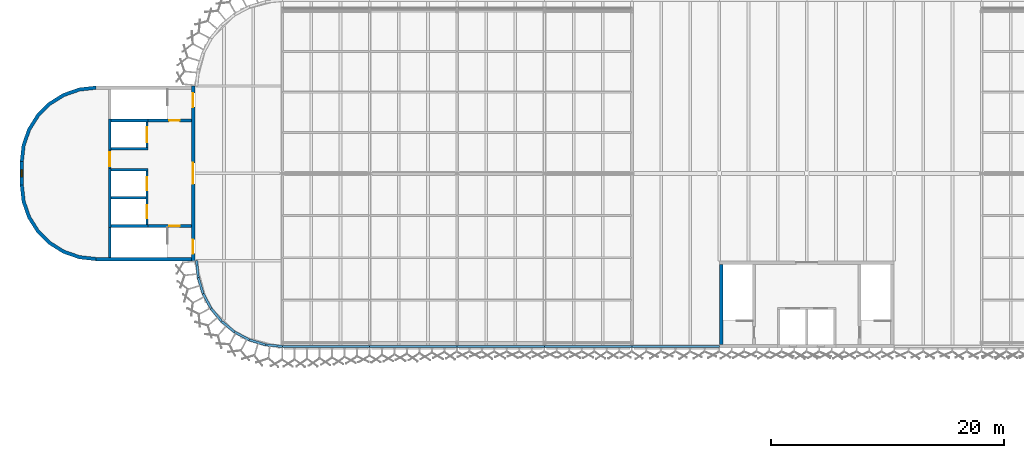
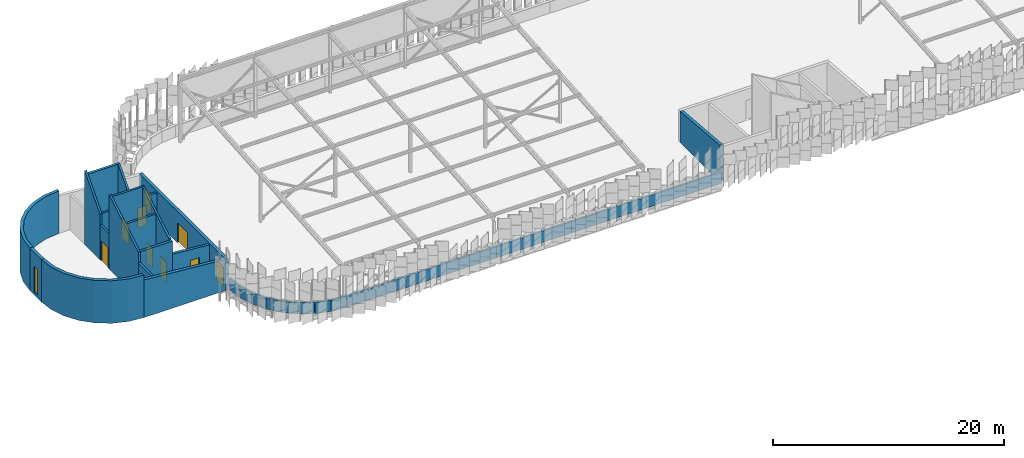
# One storey, part 117 of 483: 32 walls, 9 doors, 1 window, 10 openings.
"""IFC4 building model written with IfcOpenShell, lengths in metres."""

from ifc_helpers import new_model, si_unit, direction, frame, frame_2d, origin, place, context, subcontext, project, spatial, polyline, rectangle, outline, extrude, material, layer, layer_set, type_object, element, fill, save


model = new_model("IFC4")

# Units and contexts
model_context = context("Model", 3, precision=1e-05, world=origin(), true_north=direction((0.0, 1.0)))
body_context = subcontext(model_context, "Body", "Model", "MODEL_VIEW")
ifc_project = project(units=[si_unit("LENGTHUNIT", "METRE"), si_unit("AREAUNIT", "SQUARE_METRE"), si_unit("VOLUMEUNIT", "CUBIC_METRE"), si_unit("PLANEANGLEUNIT", "RADIAN"), si_unit("MASSUNIT", "GRAM", prefix="KILO")], contexts=[model_context])

# Site, building, storey
site_placement = place(None, origin())
site = spatial("IfcSite", under=ifc_project, at=site_placement, CompositionType="ELEMENT")
building_placement = place(site_placement, origin())
building = spatial("IfcBuilding", under=site, at=building_placement, Name="Parallax Yard Mobility Hub", CompositionType="ELEMENT")
storey_placement = place(building_placement, frame((0.0, 0.0, 13.199951171875)))
storey = spatial("IfcBuildingStorey", under=building, at=storey_placement, Name="L04", CompositionType="ELEMENT", Elevation=13.199951171875)

# Wall, openings, doors
ifc_material_1 = material(Name="Concrete fc' 35 MPa", Category="concrete")
ifc_layer_1 = layer(ifc_material_1, 0.300048828125)
ifc_layer_set_1 = layer_set([ifc_layer_1], Name="Concrete fc' 35 MPa core wall 300")
wall_type_1 = type_object("IfcWallType", Name="Concrete fc' 35 MPa core wall 300", PredefinedType="SHEAR", material=ifc_layer_set_1)
wall_1_placement = place(storey_placement, frame((22.35009765625, 135.0, 0.0), z_axis=(0.0, 0.0, 1.0), x_axis=(0.0, -1.0, 0.0)))
wall_1 = element("IfcWall", 1, at=wall_1_placement, inside=storey, type_object=wall_type_1, Name="Core C-W entry wall level L04", PredefinedType="SHEAR", context=body_context, shape_type="SweptSolid", body=[
    extrude(rectangle(XDim=15.0, YDim=0.300048828125, at=frame_2d((7.5, 0.0))), origin(), (0.0, 0.0, 1.0), 3.300048828125),
])
opening_1_placement = place(wall_1_placement, frame((13.179931640625, 0.0, 0.0)))
opening_1 = element("IfcOpeningElement", 2, at=opening_1_placement, cuts=wall_1, Name="Opening L04-D700", PredefinedType="OPENING", context=body_context, shape_type="SweptSolid", body=[
    extrude(rectangle(XDim=1.199951171875, YDim=2.10009765625, at=frame_2d((0.60009765625, 1.050048828125))), frame((0.0, 0.16015625, 0.0), z_axis=(0.0, -1.0, 0.0), x_axis=(1.0, 0.0, 0.0)), (0.0, 0.0, 1.0), 0.320068359375),
])
opening_2_placement = place(wall_1_placement, frame((0.6201171875, 0.0, 0.0)))
opening_2 = element("IfcOpeningElement", 3, at=opening_2_placement, cuts=wall_1, Name="Opening L04-D701", PredefinedType="OPENING", context=body_context, shape_type="SweptSolid", body=[
    extrude(rectangle(XDim=1.199951171875, YDim=2.10009765625, at=frame_2d((0.60009765625, 1.050048828125))), frame((0.0, 0.16015625, 0.0), z_axis=(0.0, -1.0, 0.0), x_axis=(1.0, 0.0, 0.0)), (0.0, 0.0, 1.0), 0.320068359375),
])
opening_3_placement = place(wall_1_placement, frame((6.60009765625, 0.0, 0.0)))
opening_3 = element("IfcOpeningElement", 4, at=opening_3_placement, cuts=wall_1, Name="Opening L04-D702", PredefinedType="OPENING", context=body_context, shape_type="SweptSolid", body=[
    extrude(rectangle(XDim=1.800048828125, YDim=2.10009765625, at=frame_2d((0.89990234375, 1.050048828125))), frame((0.0, 0.16015625, 0.0), z_axis=(0.0, -1.0, 0.0), x_axis=(1.0, 0.0, 0.0)), (0.0, 0.0, 1.0), 0.320068359375),
])
ifc_material_2 = material(Name="Hollow metal steel door and frame", Category="steel")
door_type_1 = type_object("IfcDoorType", Name="Core door 1200 x 2100 FD90", OperationType="NOTDEFINED", PredefinedType="DOOR", material=ifc_material_2)
door_1_placement = place(opening_1_placement, origin())
door_1 = element("IfcDoor", 5, at=door_1_placement, inside=storey, type_object=door_type_1, Name="Stair deck door L04-D700, core C-W level L04", OperationType="SINGLE_SWING_RIGHT", OverallHeight=2.10009765625, OverallWidth=1.199951171875, PredefinedType="DOOR", context=body_context, shape_type="SweptSolid", body=[
    extrude(rectangle(XDim=1.199951171875, YDim=2.10009765625, at=frame_2d((0.60009765625, 1.050048828125))), frame((0.0, 0.02490234375, 0.0), z_axis=(0.0, -1.0, 0.0), x_axis=(1.0, 0.0, 0.0)), (0.0, 0.0, 1.0), 0.050048828125),
])
fill(opening_1, door_1)
door_2_placement = place(opening_2_placement, origin())
door_2 = element("IfcDoor", 6, at=door_2_placement, inside=storey, type_object=door_type_1, Name="Stair deck door L04-D701, core C-W level L04", OperationType="SINGLE_SWING_LEFT", OverallHeight=2.10009765625, OverallWidth=1.199951171875, PredefinedType="DOOR", context=body_context, shape_type="SweptSolid", body=[
    extrude(rectangle(XDim=1.199951171875, YDim=2.10009765625, at=frame_2d((0.60009765625, 1.050048828125))), frame((0.0, 0.02490234375, 0.0), z_axis=(0.0, -1.0, 0.0), x_axis=(1.0, 0.0, 0.0)), (0.0, 0.0, 1.0), 0.050048828125),
])
fill(opening_2, door_2)
door_type_2 = type_object("IfcDoorType", Name="Core double door 1800 x 2100 FD90", OperationType="NOTDEFINED", PredefinedType="DOOR", material=ifc_material_2)
door_3_placement = place(opening_3_placement, origin())
door_3 = element("IfcDoor", 7, at=door_3_placement, inside=storey, type_object=door_type_2, Name="Lift lobby door L04-D702, core C-W level L04", OperationType="DOUBLE_DOOR_SINGLE_SWING", OverallHeight=2.10009765625, OverallWidth=1.800048828125, PredefinedType="DOOR", context=body_context, shape_type="SweptSolid", body=[
    extrude(rectangle(XDim=1.800048828125, YDim=2.10009765625, at=frame_2d((0.89990234375, 1.050048828125))), frame((0.0, 0.02490234375, 0.0), z_axis=(0.0, -1.0, 0.0), x_axis=(1.0, 0.0, 0.0)), (0.0, 0.0, 1.0), 0.050048828125),
])
fill(opening_3, door_3)

# Wall, opening, window
wall_2_placement = place(storey_placement, frame((7.64990234375, 126.5, 0.0), z_axis=(0.0, 0.0, 1.0), x_axis=(0.0, 1.0, 0.0)))
wall_2 = element("IfcWall", 8, at=wall_2_placement, inside=storey, type_object=wall_type_1, Name="Core C-W back wall level L04", PredefinedType="SHEAR", context=body_context, shape_type="SweptSolid", body=[
    extrude(rectangle(XDim=2.0, YDim=0.300048828125, at=frame_2d((1.0, 0.0))), origin(), (0.0, 0.0, 1.0), 4.5),
])
opening_4_placement = place(wall_2_placement, frame((0.699951171875, 0.0, 0.300048828125)))
opening_4 = element("IfcOpeningElement", 9, at=opening_4_placement, cuts=wall_2, Name="Opening CW-S1", PredefinedType="OPENING", context=body_context, shape_type="SweptSolid", body=[
    extrude(rectangle(XDim=0.60009765625, YDim=2.699951171875, at=frame_2d((0.300048828125, 1.35009765625))), frame((0.0, 0.16015625, 0.0), z_axis=(0.0, -1.0, 0.0), x_axis=(1.0, 0.0, 0.0)), (0.0, 0.0, 1.0), 0.320068359375),
])
ifc_material_3 = material(Name="Fire-resisting glazing in a steel frame", Category="steel")
window_type = type_object("IfcWindowType", Name="Core slot window 600 x 2700", PartitioningType="SINGLE_PANEL", PredefinedType="WINDOW", material=ifc_material_3)
window_placement = place(opening_4_placement, origin())
window = element("IfcWindow", 10, at=window_placement, inside=storey, type_object=window_type, Name="Glazed slot 1, core C-W level L04", OverallHeight=2.699951171875, OverallWidth=0.60009765625, PartitioningType="SINGLE_PANEL", PredefinedType="WINDOW", context=body_context, shape_type="SweptSolid", body=[
    extrude(rectangle(XDim=0.60009765625, YDim=2.699951171875, at=frame_2d((0.300048828125, 1.35009765625))), frame((0.0, 0.030029296875, 0.0), z_axis=(0.0, -1.0, 0.0), x_axis=(1.0, 0.0, 0.0)), (0.0, 0.0, 1.0), 0.06005859375),
])
fill(opening_4, window)

# Walls
wall_3_placement = place(storey_placement, frame((22.199951171875, 120.14990234375, 0.0), z_axis=(0.0, 0.0, 1.0), x_axis=(-1.0, 0.0, 0.0)))
element("IfcWall", 11, at=wall_3_placement, inside=storey, type_object=wall_type_1, Name="Core C-W west-side end wall level L04", PredefinedType="SHEAR", context=body_context, shape_type="SweptSolid", body=[
    extrude(outline(polyline([(0.0, 0.0), (8.199951171875, 0.0), (8.199951171875, 3.9833984375), (0.0, 3.300048828125), (0.0, 0.0)])), frame((0.0, 0.14990234375, 0.0), z_axis=(0.0, -1.0, 0.0), x_axis=(1.0, 0.0, 0.0)), (0.0, 0.0, 1.0), 0.300048828125),
])
wall_4_placement = place(storey_placement, origin())
element("IfcWall", 12, at=wall_4_placement, inside=storey, type_object=wall_type_1, Name="Core C-W rounded corner west level L04", PredefinedType="SHEAR", context=body_context, shape_type="SweptSolid", body=[
    extrude(outline(polyline([(14.0, 120.0), (12.5537109375, 120.1630859375), (11.1796875, 120.643798828125), (9.947265625, 121.418212890625), (8.918212890625, 122.447265625), (8.143798828125, 123.6796875), (7.6630859375, 125.0537109375), (7.5, 126.5), (7.800048828125, 126.5), (7.955322265625, 125.120361328125), (8.4140625, 123.809814453125), (9.152587890625, 122.634521484375), (10.134521484375, 121.652587890625), (11.309814453125, 120.9140625), (12.620361328125, 120.455322265625), (14.0, 120.300048828125), (14.0, 120.0)])), origin(), (0.0, 0.0, 1.0), 4.5),
])
wall_5_placement = place(storey_placement, origin())
element("IfcWall", 13, at=wall_5_placement, inside=storey, type_object=wall_type_1, Name="Core C-W rounded corner east level L04", PredefinedType="SHEAR", context=body_context, shape_type="SweptSolid", body=[
    extrude(outline(polyline([(14.0, 135.0), (12.5537109375, 134.8369140625), (11.1796875, 134.356201171875), (9.947265625, 133.581787109375), (8.918212890625, 132.552734375), (8.143798828125, 131.3203125), (7.6630859375, 129.9462890625), (7.5, 128.5), (7.800048828125, 128.5), (7.955322265625, 129.879638671875), (8.4140625, 131.190185546875), (9.152587890625, 132.365478515625), (10.134521484375, 133.347412109375), (11.309814453125, 134.0859375), (12.620361328125, 134.544677734375), (14.0, 134.699951171875), (14.0, 135.0)])), origin(), (0.0, 0.0, 1.0), 4.5),
])
wall_6_placement = place(storey_placement, frame((67.64990234375, 119.699951171875, 0.0), z_axis=(0.0, 0.0, 1.0), x_axis=(0.0, -1.0, 0.0)))
element("IfcWall", 14, at=wall_6_placement, inside=storey, type_object=wall_type_1, Name="Core C-N1 east-side end wall level L04", PredefinedType="SHEAR", context=body_context, shape_type="SweptSolid", body=[
    extrude(outline(polyline([(0.0, 0.0), (6.89990234375, 0.0), (6.89990234375, 3.875), (0.0, 3.300048828125), (0.0, 0.0)])), frame((0.0, 0.14990234375, 0.0), z_axis=(0.0, -1.0, 0.0), x_axis=(1.0, 0.0, 0.0)), (0.0, 0.0, 1.0), 0.300048828125),
])

# Wall, openings, doors
ifc_layer_2 = layer(ifc_material_1, 0.199951171875)
ifc_layer_set_2 = layer_set([ifc_layer_2], Name="Concrete fc' 35 MPa internal core wall 200")
wall_type_2 = type_object("IfcWallType", Name="Concrete fc' 35 MPa internal core wall 200", PredefinedType="STANDARD", material=ifc_layer_set_2)
wall_7_placement = place(storey_placement, frame((18.39990234375, 123.10009765625, 0.0), z_axis=(0.0, 0.0, 1.0), x_axis=(0.0, 1.0, 0.0)))
wall_7 = element("IfcWall", 15, at=wall_7_placement, inside=storey, type_object=wall_type_2, Name="Core C-W lift front 1 part 1 level L04", PredefinedType="STANDARD", context=body_context, shape_type="SweptSolid", body=[
    extrude(outline(polyline([(0.0, 0.0), (4.599853515625, 0.0), (4.60009765625, 7.68115234375), (0.0, 4.948486328125), (0.0, 0.0)])), frame((0.0, 0.10009765625, 0.0), z_axis=(0.0, -1.0, 0.0), x_axis=(1.0, 0.0, 0.0)), (0.0, 0.0, 1.0), 0.199951171875),
])
opening_5_placement = place(wall_7_placement, frame((0.550048828125, 0.0, 0.0)))
opening_5 = element("IfcOpeningElement", 16, at=opening_5_placement, cuts=wall_7, Name="Opening L04-D705", PredefinedType="OPENING", context=body_context, shape_type="SweptSolid", body=[
    extrude(rectangle(XDim=1.10009765625, YDim=2.10009765625, at=frame_2d((0.550048828125, 1.050048828125))), frame((0.0, 0.10986328125, 0.0), z_axis=(0.0, -1.0, 0.0), x_axis=(1.0, 0.0, 0.0)), (0.0, 0.0, 1.0), 0.219970703125),
])
opening_6_placement = place(wall_7_placement, frame((2.949951171875, 0.0, 0.0)))
opening_6 = element("IfcOpeningElement", 17, at=opening_6_placement, cuts=wall_7, Name="Opening L04-D706", PredefinedType="OPENING", context=body_context, shape_type="SweptSolid", body=[
    extrude(rectangle(XDim=1.10009765625, YDim=2.10009765625, at=frame_2d((0.550048828125, 1.050048828125))), frame((0.0, 0.10986328125, 0.0), z_axis=(0.0, -1.0, 0.0), x_axis=(1.0, 0.0, 0.0)), (0.0, 0.0, 1.0), 0.219970703125),
])
ifc_material_4 = material(Name="Stainless steel sliding door and frame", Category="steel")
door_type_3 = type_object("IfcDoorType", Name="Lift landing door 1100 x 2100 FD90", OperationType="DOUBLE_DOOR_SLIDING", PredefinedType="DOOR", material=ifc_material_4)
door_4_placement = place(opening_5_placement, origin())
door_4 = element("IfcDoor", 18, at=door_4_placement, inside=storey, type_object=door_type_3, Name="Lift landing door L04-D705, core C-W level L04", OperationType="DOUBLE_DOOR_SLIDING", OverallHeight=2.10009765625, OverallWidth=1.10009765625, PredefinedType="DOOR", context=body_context, shape_type="SweptSolid", body=[
    extrude(rectangle(XDim=1.10009765625, YDim=2.10009765625, at=frame_2d((0.550048828125, 1.050048828125))), frame((0.0, 0.02490234375, 0.0), z_axis=(0.0, -1.0, 0.0), x_axis=(1.0, 0.0, 0.0)), (0.0, 0.0, 1.0), 0.050048828125),
])
fill(opening_5, door_4)
door_5_placement = place(opening_6_placement, origin())
door_5 = element("IfcDoor", 19, at=door_5_placement, inside=storey, type_object=door_type_3, Name="Lift landing door L04-D706, core C-W level L04", OperationType="DOUBLE_DOOR_SLIDING", OverallHeight=2.10009765625, OverallWidth=1.10009765625, PredefinedType="DOOR", context=body_context, shape_type="SweptSolid", body=[
    extrude(rectangle(XDim=1.10009765625, YDim=2.10009765625, at=frame_2d((0.550048828125, 1.050048828125))), frame((0.0, 0.02490234375, 0.0), z_axis=(0.0, -1.0, 0.0), x_axis=(1.0, 0.0, 0.0)), (0.0, 0.0, 1.0), 0.050048828125),
])
fill(opening_6, door_5)

# Wall, opening, door
wall_8_placement = place(storey_placement, frame((18.39990234375, 129.699951171875, 0.0), z_axis=(0.0, 0.0, 1.0), x_axis=(0.0, 1.0, 0.0)))
wall_8 = element("IfcWall", 20, at=wall_8_placement, inside=storey, type_object=wall_type_2, Name="Core C-W lift front 2 part 2 level L04", PredefinedType="STANDARD", context=body_context, shape_type="SweptSolid", body=[
    extrude(outline(polyline([(0.0, 0.0), (2.199951171875, 0.0), (2.199951171875, 7.51708984375), (0.0, 5.0263671875), (0.0, 0.0)])), frame((0.0, 0.10009765625, 0.0), z_axis=(0.0, -1.0, 0.0), x_axis=(1.0, 0.0, 0.0)), (0.0, 0.0, 1.0), 0.199951171875),
])
opening_7_placement = place(wall_8_placement, frame((0.449951171875, 0.0, 0.0)))
opening_7 = element("IfcOpeningElement", 21, at=opening_7_placement, cuts=wall_8, Name="Opening L04-D707", PredefinedType="OPENING", context=body_context, shape_type="SweptSolid", body=[
    extrude(rectangle(XDim=1.300048828125, YDim=2.10009765625, at=frame_2d((0.64990234375, 1.050048828125))), frame((0.0, 0.10986328125, 0.0), z_axis=(0.0, -1.0, 0.0), x_axis=(1.0, 0.0, 0.0)), (0.0, 0.0, 1.0), 0.219970703125),
])
door_type_4 = type_object("IfcDoorType", Name="Goods lift landing door 1300 x 2100 FD90", OperationType="DOUBLE_DOOR_SLIDING", PredefinedType="DOOR", material=ifc_material_4)
door_6_placement = place(opening_7_placement, origin())
door_6 = element("IfcDoor", 22, at=door_6_placement, inside=storey, type_object=door_type_4, Name="Lift landing door L04-D707, core C-W level L04", OperationType="DOUBLE_DOOR_SLIDING", OverallHeight=2.10009765625, OverallWidth=1.300048828125, PredefinedType="DOOR", context=body_context, shape_type="SweptSolid", body=[
    extrude(rectangle(XDim=1.300048828125, YDim=2.10009765625, at=frame_2d((0.64990234375, 1.050048828125))), frame((0.0, 0.02490234375, 0.0), z_axis=(0.0, -1.0, 0.0), x_axis=(1.0, 0.0, 0.0)), (0.0, 0.0, 1.0), 0.050048828125),
])
fill(opening_7, door_6)

# Walls
wall_9_placement = place(storey_placement, frame((18.300048828125, 125.39990234375, 0.0), z_axis=(0.0, 0.0, 1.0), x_axis=(-1.0, 0.0, 0.0)))
element("IfcWall", 23, at=wall_9_placement, inside=storey, type_object=wall_type_2, Name="Core C-W lift wall 1 part 1 level L04", PredefinedType="STANDARD", context=body_context, shape_type="SweptSolid", body=[
    extrude(rectangle(XDim=3.0, YDim=0.199951171875, at=frame_2d((1.5, 0.0))), origin(), (0.0, 0.0, 1.0), 6.25537109375),
])
wall_10_placement = place(storey_placement, frame((18.5, 127.800048828125, 0.0), z_axis=(0.0, 0.0, 1.0), x_axis=(-1.0, 0.0, 0.0)))
element("IfcWall", 24, at=wall_10_placement, inside=storey, type_object=wall_type_2, Name="Core C-W lift wall 2 part 2 level L04", PredefinedType="STANDARD", context=body_context, shape_type="SweptSolid", body=[
    extrude(rectangle(XDim=3.199951171875, YDim=0.199951171875, at=frame_2d((1.60009765625, 0.0))), origin(), (0.0, 0.0, 1.0), 7.68115234375),
])
wall_11_placement = place(storey_placement, frame((18.5, 129.60009765625, 0.0), z_axis=(0.0, 0.0, 1.0), x_axis=(-1.0, 0.0, 0.0)))
element("IfcWall", 25, at=wall_11_placement, inside=storey, type_object=wall_type_2, Name="Core C-W lift wall 3 part 3 level L04", PredefinedType="STANDARD", context=body_context, shape_type="SweptSolid", body=[
    extrude(rectangle(XDim=3.199951171875, YDim=0.199951171875, at=frame_2d((1.60009765625, 0.0))), origin(), (0.0, 0.0, 1.0), 4.800048828125),
])
wall_12_placement = place(storey_placement, frame((15.199951171875, 120.300048828125, 0.0), z_axis=(0.0, 0.0, 1.0), x_axis=(0.0, 1.0, 0.0)))
element("IfcWall", 26, at=wall_12_placement, inside=storey, type_object=wall_type_2, Name="Core C-W plant wall 1 part 1 level L04", PredefinedType="STANDARD", context=body_context, shape_type="SweptSolid", body=[
    extrude(rectangle(XDim=2.550048828125, YDim=0.199951171875, at=frame_2d((1.27490234375, 0.0))), origin(), (0.0, 0.0, 1.0), 3.683349609375),
])
wall_13_placement = place(storey_placement, frame((15.199951171875, 122.85009765625, 0.0), z_axis=(0.0, 0.0, 1.0), x_axis=(0.0, 1.0, 0.0)))
element("IfcWall", 27, at=wall_13_placement, inside=storey, type_object=wall_type_2, Name="Core C-W plant wall 2 part 2 level L04", PredefinedType="STANDARD", context=body_context, shape_type="SweptSolid", body=[
    extrude(outline(polyline([(0.0, 0.0), (5.0498046875, 0.0), (5.050048828125, 7.800048828125), (0.0, 4.800048828125), (0.0, 0.0)])), frame((0.0, 0.10009765625, 0.0), z_axis=(0.0, -1.0, 0.0), x_axis=(1.0, 0.0, 0.0)), (0.0, 0.0, 1.0), 0.199951171875),
])

# Wall, opening, door
wall_14_placement = place(storey_placement, frame((15.199951171875, 127.89990234375, 0.0), z_axis=(0.0, 0.0, 1.0), x_axis=(0.0, 1.0, 0.0)))
wall_14 = element("IfcWall", 28, at=wall_14_placement, inside=storey, type_object=wall_type_2, Name="Core C-W plant wall 3 part 3 level L04", PredefinedType="STANDARD", context=body_context, shape_type="SweptSolid", body=[
    extrude(rectangle(XDim=1.60009765625, YDim=0.199951171875, at=frame_2d((0.800048828125, 0.0))), origin(), (0.0, 0.0, 1.0), 3.683349609375),
])
opening_8_placement = place(wall_14_placement, frame((0.199951171875, 0.0, 0.0)))
opening_8 = element("IfcOpeningElement", 29, at=opening_8_placement, cuts=wall_14, Name="Opening L04-D708", PredefinedType="OPENING", context=body_context, shape_type="SweptSolid", body=[
    extrude(rectangle(XDim=1.199951171875, YDim=2.10009765625, at=frame_2d((0.60009765625, 1.050048828125))), frame((0.0, 0.10986328125, 0.0), z_axis=(0.0, -1.0, 0.0), x_axis=(1.0, 0.0, 0.0)), (0.0, 0.0, 1.0), 0.219970703125),
])
door_7_placement = place(opening_8_placement, origin())
door_7 = element("IfcDoor", 30, at=door_7_placement, inside=storey, type_object=door_type_1, Name="Plant room door L04-D708, core C-W level L04", OperationType="SINGLE_SWING_RIGHT", OverallHeight=2.10009765625, OverallWidth=1.199951171875, PredefinedType="DOOR", context=body_context, shape_type="SweptSolid", body=[
    extrude(rectangle(XDim=1.199951171875, YDim=2.10009765625, at=frame_2d((0.60009765625, 1.050048828125))), frame((0.0, 0.02490234375, 0.0), z_axis=(0.0, -1.0, 0.0), x_axis=(1.0, 0.0, 0.0)), (0.0, 0.0, 1.0), 0.050048828125),
])
fill(opening_8, door_7)

# Wall
wall_15_placement = place(storey_placement, frame((15.199951171875, 129.5, 0.0), z_axis=(0.0, 0.0, 1.0), x_axis=(0.0, 1.0, 0.0)))
element("IfcWall", 31, at=wall_15_placement, inside=storey, type_object=wall_type_2, Name="Core C-W plant wall 4 part 4 level L04", PredefinedType="STANDARD", context=body_context, shape_type="SweptSolid", body=[
    extrude(outline(polyline([(0.0, 0.0), (2.64990234375, 0.0), (2.64990234375, 7.800048828125), (0.0, 4.800048828125), (0.0, 0.0)])), frame((0.0, 0.10009765625, 0.0), z_axis=(0.0, -1.0, 0.0), x_axis=(1.0, 0.0, 0.0)), (0.0, 0.0, 1.0), 0.199951171875),
])

# Wall, opening, door
ifc_layer_3 = layer(ifc_material_1, 0.25)
ifc_layer_set_3 = layer_set([ifc_layer_3], Name="Concrete fc' 35 MPa stair enclosure wall 250")
wall_type_3 = type_object("IfcWallType", Name="Concrete fc' 35 MPa stair enclosure wall 250", PredefinedType="STANDARD", material=ifc_layer_set_3)
wall_16_placement = place(storey_placement, frame((22.199951171875, 122.97509765625, 0.0), z_axis=(0.0, 0.0, 1.0), x_axis=(-1.0, 0.0, 0.0)))
wall_16 = element("IfcWall", 32, at=wall_16_placement, inside=storey, type_object=wall_type_3, Name="Core C-W stair 1 partition 1 part 1 level L04", PredefinedType="STANDARD", context=body_context, shape_type="SweptSolid", body=[
    extrude(outline(polyline([(0.0, 0.0), (3.699951171875, 0.0), (3.699951171875, 3.408447265625), (0.0, 3.10009765625), (0.0, 0.0)])), frame((0.0, 0.125, 0.0), z_axis=(0.0, -1.0, 0.0), x_axis=(1.0, 0.0, 0.0)), (0.0, 0.0, 1.0), 0.25),
])
opening_9_placement = place(wall_16_placement, frame((1.0, 0.0, 0.0)))
opening_9 = element("IfcOpeningElement", 33, at=opening_9_placement, cuts=wall_16, Name="Opening L04-D703", PredefinedType="OPENING", context=body_context, shape_type="SweptSolid", body=[
    extrude(rectangle(XDim=0.89990234375, YDim=2.10009765625, at=frame_2d((0.449951171875, 1.050048828125))), frame((0.0, 0.135009765625, 0.0), z_axis=(0.0, -1.0, 0.0), x_axis=(1.0, 0.0, 0.0)), (0.0, 0.0, 1.0), 0.27001953125),
])
door_type_5 = type_object("IfcDoorType", Name="Core door 900 x 2100 FD90", OperationType="NOTDEFINED", PredefinedType="DOOR", material=ifc_material_2)
door_8_placement = place(opening_9_placement, origin())
door_8 = element("IfcDoor", 34, at=door_8_placement, inside=storey, type_object=door_type_5, Name="Stair lobby door L04-D703, core C-W level L04", OperationType="SINGLE_SWING_LEFT", OverallHeight=2.10009765625, OverallWidth=0.89990234375, PredefinedType="DOOR", context=body_context, shape_type="SweptSolid", body=[
    extrude(rectangle(XDim=0.89990234375, YDim=2.10009765625, at=frame_2d((0.449951171875, 1.050048828125))), frame((0.0, 0.02490234375, 0.0), z_axis=(0.0, -1.0, 0.0), x_axis=(1.0, 0.0, 0.0)), (0.0, 0.0, 1.0), 0.050048828125),
])
fill(opening_9, door_8)

# Wall
wall_17_placement = place(storey_placement, frame((18.5, 122.97509765625, 0.0), z_axis=(0.0, 0.0, 1.0), x_axis=(-1.0, 0.0, 0.0)))
element("IfcWall", 35, at=wall_17_placement, inside=storey, type_object=wall_type_3, Name="Core C-W stair 1 partition 2 part 2 level L04", PredefinedType="STANDARD", context=body_context, shape_type="SweptSolid", body=[
    extrude(rectangle(XDim=3.199951171875, YDim=0.25, at=frame_2d((1.60009765625, 0.0))), origin(), (0.0, 0.0, 1.0), 4.800048828125),
])

# Wall, opening, door
wall_18_placement = place(storey_placement, frame((18.5, 132.02490234375, 0.0), z_axis=(0.0, 0.0, 1.0), x_axis=(1.0, 0.0, 0.0)))
wall_18 = element("IfcWall", 36, at=wall_18_placement, inside=storey, type_object=wall_type_3, Name="Core C-W stair 2 partition 1 part 1 level L04", PredefinedType="STANDARD", context=body_context, shape_type="SweptSolid", body=[
    extrude(outline(polyline([(0.0, 0.0), (3.699951171875, 0.0), (3.699951171875, 3.10009765625), (0.0, 3.408447265625), (0.0, 0.0)])), frame((0.0, 0.125, 0.0), z_axis=(0.0, -1.0, 0.0), x_axis=(1.0, 0.0, 0.0)), (0.0, 0.0, 1.0), 0.25),
])
opening_10_placement = place(wall_18_placement, frame((1.800048828125, 0.0, 0.0)))
opening_10 = element("IfcOpeningElement", 37, at=opening_10_placement, cuts=wall_18, Name="Opening L04-D704", PredefinedType="OPENING", context=body_context, shape_type="SweptSolid", body=[
    extrude(rectangle(XDim=0.89990234375, YDim=2.10009765625, at=frame_2d((0.449951171875, 1.050048828125))), frame((0.0, 0.135009765625, 0.0), z_axis=(0.0, -1.0, 0.0), x_axis=(1.0, 0.0, 0.0)), (0.0, 0.0, 1.0), 0.27001953125),
])
door_9_placement = place(opening_10_placement, origin())
door_9 = element("IfcDoor", 38, at=door_9_placement, inside=storey, type_object=door_type_5, Name="Stair lobby door L04-D704, core C-W level L04", OperationType="SINGLE_SWING_RIGHT", OverallHeight=2.10009765625, OverallWidth=0.89990234375, PredefinedType="DOOR", context=body_context, shape_type="SweptSolid", body=[
    extrude(rectangle(XDim=0.89990234375, YDim=2.10009765625, at=frame_2d((0.449951171875, 1.050048828125))), frame((0.0, 0.02490234375, 0.0), z_axis=(0.0, -1.0, 0.0), x_axis=(1.0, 0.0, 0.0)), (0.0, 0.0, 1.0), 0.050048828125),
])
fill(opening_10, door_9)

# Walls
wall_19_placement = place(storey_placement, frame((18.5, 132.02490234375, 0.0), z_axis=(0.0, 0.0, 1.0), x_axis=(-1.0, 0.0, 0.0)))
element("IfcWall", 39, at=wall_19_placement, inside=storey, type_object=wall_type_3, Name="Core C-W stair 2 partition 2 part 2 level L04", PredefinedType="STANDARD", context=body_context, shape_type="SweptSolid", body=[
    extrude(rectangle(XDim=3.199951171875, YDim=0.25, at=frame_2d((1.60009765625, 0.0))), origin(), (0.0, 0.0, 1.0), 7.51708984375),
])
ifc_layer_4 = layer(ifc_material_1, 0.199951171875)
ifc_layer_set_4 = layer_set([ifc_layer_4], Name="Roof parapet wall, Concrete fc' 35 MPa precast, 200")
wall_type_4 = type_object("IfcWallType", Name="Roof parapet wall, Concrete fc' 35 MPa precast, 200", PredefinedType="SOLIDWALL", material=ifc_layer_set_4)
wall_20_placement = place(storey_placement, frame((30.012939453125, 112.64599609375, 0.0), z_axis=(0.0, 0.0, 1.0), x_axis=(1.0, 0.0, 0.0)))
element("IfcWall", 40, at=wall_20_placement, inside=storey, type_object=wall_type_4, Name="Roof parapet wall bay 1 level L04", PredefinedType="SOLIDWALL", context=body_context, shape_type="SweptSolid", body=[
    extrude(rectangle(XDim=7.485107421875, YDim=0.199951171875, at=frame_2d((3.74267578125, 0.0))), origin(), (0.0, 0.0, 1.0), 1.199951171875),
])
for number, where, z_axis, x_axis, name in (
    (41, (37.501953125, 112.64599609375, 0.0), (0.0, 0.0, 1.0), (1.0, 0.0, 0.0), "Roof parapet wall bay 2 level L04"),
    (42, (45.001953125, 112.64599609375, 0.0), (0.0, 0.0, 1.0), (1.0, 0.0, 0.0), "Roof parapet wall bay 3 level L04"),
    (43, (52.501953125, 112.64599609375, 0.0), (0.0, 0.0, 1.0), (1.0, 0.0, 0.0), "Roof parapet wall bay 4 level L04"),
):
    element("IfcWall", number, at=place(storey_placement, frame(where, z_axis=z_axis, x_axis=x_axis)), inside=storey, type_object=wall_type_4, Name=name, PredefinedType="SOLIDWALL", context=body_context, shape_type="SweptSolid", body=[
        extrude(rectangle(XDim=7.49609375, YDim=0.199951171875, at=frame_2d((3.748046875, 0.0))), origin(), (0.0, 0.0, 1.0), 1.199951171875),
    ])
wall_21_placement = place(storey_placement, frame((60.001953125, 112.64599609375, 0.0), z_axis=(0.0, 0.0, 1.0), x_axis=(1.0, 0.0, 0.0)))
element("IfcWall", 44, at=wall_21_placement, inside=storey, type_object=wall_type_4, Name="Roof parapet wall bay 5 level L04", PredefinedType="SOLIDWALL", context=body_context, shape_type="SweptSolid", body=[
    extrude(rectangle(XDim=7.4931640625, YDim=0.199951171875, at=frame_2d((3.74658203125, 0.0))), origin(), (0.0, 0.0, 1.0), 1.199951171875),
])
wall_22_placement = place(storey_placement, frame((22.645751953125, 120.00927734375, 0.0), z_axis=(0.0, 0.0, 1.0), x_axis=(0.098649257102, -0.995122265892, 0.0)))
element("IfcWall", 45, at=wall_22_placement, inside=storey, type_object=wall_type_4, Name="Roof parapet wall bay 72-1 level L04", PredefinedType="SOLIDWALL", context=body_context, shape_type="SweptSolid", body=[
    extrude(rectangle(XDim=1.44287109375, YDim=0.199951171875, at=frame_2d((0.721435546875, 0.0))), origin(), (0.0, 0.0, 1.0), 1.199951171875),
])
for number, where, z_axis, x_axis, name in (
    (46, (22.79296875, 118.54931640625, 0.0), (0.0, 0.0, 1.0), (0.290715595178, -0.956809512244, 0.0), "Roof parapet wall bay 72-2 level L04"),
    (47, (23.214111328125, 117.171630859375, 0.0), (0.0, 0.0, 1.0), (0.471805034746, -0.881702903017, 0.0), "Roof parapet wall bay 72-3 level L04"),
):
    element("IfcWall", number, at=place(storey_placement, frame(where, z_axis=z_axis, x_axis=x_axis)), inside=storey, type_object=wall_type_4, Name=name, PredefinedType="SOLIDWALL", context=body_context, shape_type="SweptSolid", body=[
        extrude(rectangle(XDim=1.415771484375, YDim=0.199951171875, at=frame_2d((0.7080078125, 0.0))), origin(), (0.0, 0.0, 1.0), 1.199951171875),
    ])
wall_23_placement = place(storey_placement, frame((23.89599609375, 115.902587890625, 0.0), z_axis=(0.0, 0.0, 1.0), x_axis=(0.634654831137, -0.77279573324, 0.0)))
element("IfcWall", 48, at=wall_23_placement, inside=storey, type_object=wall_type_4, Name="Roof parapet wall bay 72-4 level L04", PredefinedType="SOLIDWALL", context=body_context, shape_type="SweptSolid", body=[
    extrude(rectangle(XDim=1.41552734375, YDim=0.199951171875, at=frame_2d((0.707763671875, 0.0))), origin(), (0.0, 0.0, 1.0), 1.199951171875),
])
for number, where, z_axis, x_axis, name in (
    (49, (24.81201171875, 114.791015625, 0.0), (0.0, 0.0, 1.0), (0.773173092152, -0.634195056408, 0.0), "Roof parapet wall bay 72-5 level L04"),
    (50, (25.927490234375, 113.879150390625, 0.0), (0.0, 0.0, 1.0), (0.881994693514, -0.471259334775, 0.0), "Roof parapet wall bay 72-6 level L04"),
):
    element("IfcWall", number, at=place(storey_placement, frame(where, z_axis=z_axis, x_axis=x_axis)), inside=storey, type_object=wall_type_4, Name=name, PredefinedType="SOLIDWALL", context=body_context, shape_type="SweptSolid", body=[
        extrude(rectangle(XDim=1.415771484375, YDim=0.199951171875, at=frame_2d((0.7080078125, 0.0))), origin(), (0.0, 0.0, 1.0), 1.199951171875),
    ])
wall_24_placement = place(storey_placement, frame((27.19921875, 113.202392578125, 0.0), z_axis=(0.0, 0.0, 1.0), x_axis=(0.956967829138, -0.290194028187, 0.0)))
element("IfcWall", 51, at=wall_24_placement, inside=storey, type_object=wall_type_4, Name="Roof parapet wall bay 72-7 level L04", PredefinedType="SOLIDWALL", context=body_context, shape_type="SweptSolid", body=[
    extrude(rectangle(XDim=1.416015625, YDim=0.199951171875, at=frame_2d((0.7080078125, 0.0))), origin(), (0.0, 0.0, 1.0), 1.199951171875),
])
wall_25_placement = place(storey_placement, frame((28.57861328125, 112.78662109375, 0.0), z_axis=(0.0, 0.0, 1.0), x_axis=(0.995184858239, -0.098015804501, 0.0)))
element("IfcWall", 52, at=wall_25_placement, inside=storey, type_object=wall_type_4, Name="Roof parapet wall bay 72-8 level L04", PredefinedType="SOLIDWALL", context=body_context, shape_type="SweptSolid", body=[
    extrude(rectangle(XDim=1.4296875, YDim=0.199951171875, at=frame_2d((0.71484375, 0.0))), origin(), (0.0, 0.0, 1.0), 1.199951171875),
])

save(model, "model.ifc")
